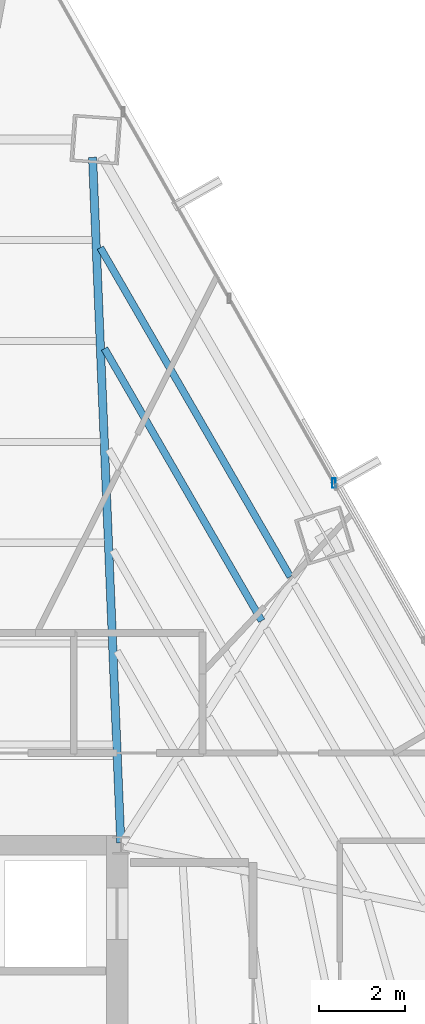
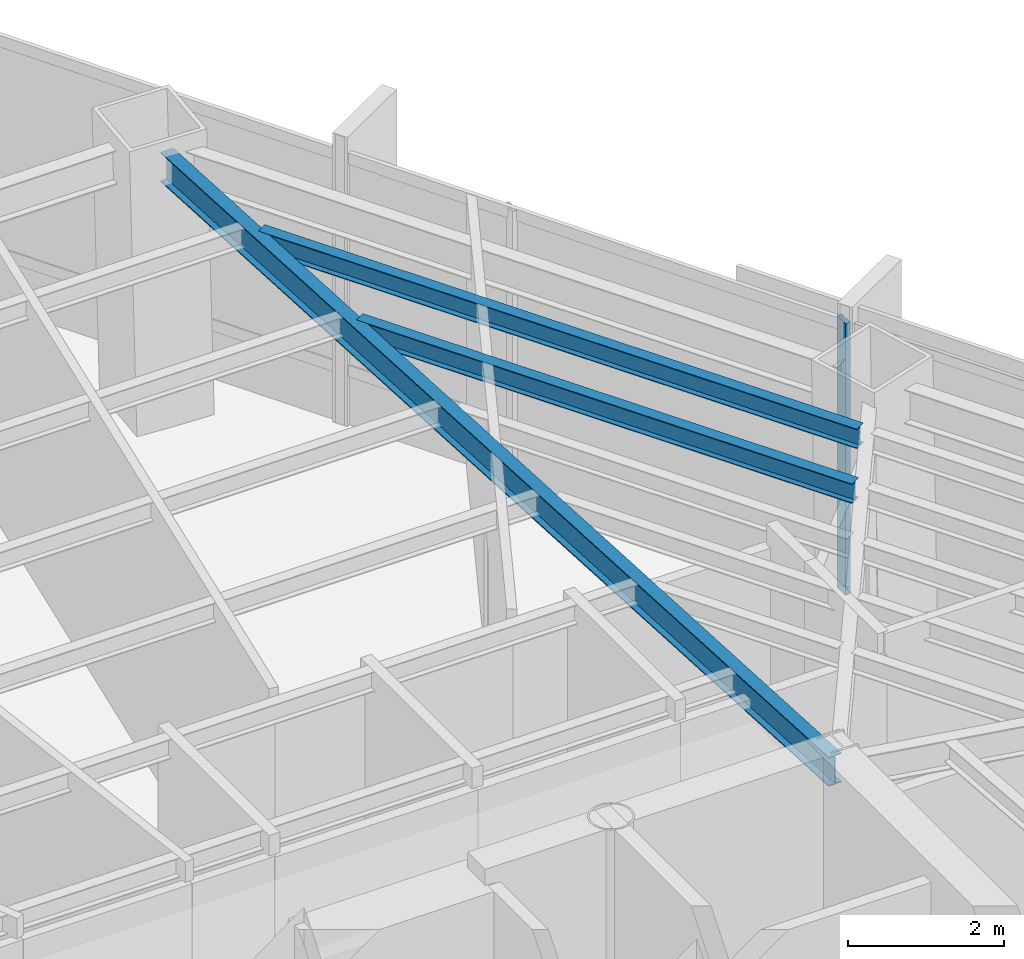
# One storey, part 27 of 37: 3 beams, 1 member, 1 element without a shape of its own.
"""IFC4 building model written with IfcOpenShell, lengths in metres."""

from ifc_helpers import new_model, si_unit, direction, frame, origin, origin_2d, place, context, subcontext, project, spatial, hollow_rectangle, i_section, extrude, source, transform, mapped, material, material_profile, profile_set, type_object, type_shapes, element, aggregate, save


model = new_model("IFC4")

# Units and contexts
model_context = context("Model", 3, precision=1e-05, world=origin(), true_north=direction((0.0, 1.0)))
body_context = subcontext(model_context, "Body", "Model", "MODEL_VIEW")
ifc_project = project(units=[si_unit("LENGTHUNIT", "METRE"), si_unit("AREAUNIT", "SQUARE_METRE"), si_unit("VOLUMEUNIT", "CUBIC_METRE"), si_unit("PLANEANGLEUNIT", "RADIAN"), si_unit("MASSUNIT", "GRAM", prefix="KILO")], contexts=[model_context])

# Site, building, storey
site_placement = place(None, origin())
site = spatial("IfcSite", under=ifc_project, at=site_placement, CompositionType="ELEMENT")
building_placement = place(site_placement, origin())
building = spatial("IfcBuilding", under=site, at=building_placement, Name="Caelisora Broadcast Tower", CompositionType="ELEMENT")
storey_placement = place(building_placement, frame((0.0, 0.0, 127.300048828125)))
storey = spatial("IfcBuildingStorey", under=building, at=storey_placement, Name="L33", CompositionType="ELEMENT", Elevation=127.300048828125)

# Beams
ifc_material_1 = material(Name="Steel Grade 350 (AS/NZS 3679.1)", Category="steel")
ifc_material_profile_1 = material_profile(ifc_material_1, i_section(OverallWidth=0.19091796875, OverallDepth=0.46044921875, WebThickness=0.010009765625, FlangeThickness=0.01611328125, at=origin_2d()), Name="Steel Grade 350 (AS/NZS 3679.1)")
ifc_profile_set_1 = profile_set([ifc_material_profile_1], Name="Steel Grade 350 (AS/NZS 3679.1)")
beam_type_1 = type_object("IfcBeamType", Name="PG06", PredefinedType="BEAM", material=ifc_profile_set_1)
shared_shape_1 = source(origin(), body_context, "Body", "SweptSolid", [
    extrude(i_section(OverallWidth=0.19091796875, OverallDepth=0.46044921875, WebThickness=0.010009765625, FlangeThickness=0.01611328125, at=origin_2d()), origin(), (0.0, 0.0, 1.0), 15.989501953125),
])
type_shapes(beam_type_1, [shared_shape_1])
beam_1_placement = place(storey_placement, frame((45.49755859375, 30.059814453125, 4.019775390625), z_axis=(-0.041149139288, 0.999153015477, 0.0), x_axis=(-0.999153015477, -0.041149139288, 0.0)))
element("IfcBeam", 1, at=beam_1_placement, inside=storey, type_object=beam_type_1, Name="L33 beam PG06", PredefinedType="BEAM", context=body_context, shape_type="MappedRepresentation", body=[
    mapped(shared_shape_1, transform((0.0, 0.0, 0.0), scale=1.0)),
])
ifc_material_profile_2 = material_profile(ifc_material_1, i_section(OverallWidth=0.166015625, OverallDepth=0.30712890625, WebThickness=0.006591796875, FlangeThickness=0.01171875, at=origin_2d()), Name="Steel Grade 350 (AS/NZS 3679.1)")
ifc_profile_set_2 = profile_set([ifc_material_profile_2], Name="Steel Grade 350 (AS/NZS 3679.1)")
beam_type_2 = type_object("IfcBeamType", Name="SB03", PredefinedType="JOIST", material=ifc_profile_set_2)
shared_shape_2 = source(origin(), body_context, "Body", "SweptSolid", [
    extrude(i_section(OverallWidth=0.166015625, OverallDepth=0.30712890625, WebThickness=0.006591796875, FlangeThickness=0.01171875, at=origin_2d()), origin(), (0.0, 0.0, 1.0), 7.328857421875),
])
beam_2_placement = place(storey_placement, frame((48.781982421875, 35.231201171875, 4.096435546875), z_axis=(-0.500015616293, 0.866016387526, 0.0), x_axis=(-0.866016387526, -0.500015616293, 0.0)))
element("IfcBeam", 2, at=beam_2_placement, inside=storey, type_object=beam_type_2, Name="L33 beam SB03", PredefinedType="JOIST", context=body_context, shape_type="MappedRepresentation", body=[
    mapped(shared_shape_2, transform((0.0, 0.0, 0.0), scale=1.0)),
])
shared_shape_3 = source(origin(), body_context, "Body", "SweptSolid", [
    extrude(i_section(OverallWidth=0.166015625, OverallDepth=0.30712890625, WebThickness=0.006591796875, FlangeThickness=0.01171875, at=origin_2d()), origin(), (0.0, 0.0, 1.0), 8.856201171875),
])
type_shapes(beam_type_2, [shared_shape_2, shared_shape_3])
beam_3_placement = place(storey_placement, frame((49.44873046875, 36.25927734375, 4.096435546875), z_axis=(-0.500011191356, 0.866018942356, 0.0), x_axis=(-0.866018942356, -0.500011191356, 0.0)))
element("IfcBeam", 3, at=beam_3_placement, inside=storey, type_object=beam_type_2, Name="L33 beam SB03", PredefinedType="JOIST", context=body_context, shape_type="MappedRepresentation", body=[
    mapped(shared_shape_3, transform((0.0, 0.0, 0.0), scale=1.0)),
])

# Curtain wall, member
ifc_material_2 = material(Name="Unitised Aluminium and Low-E Glass Curtain Wall", Category="glass")
curtain_wall_type = type_object("IfcCurtainWallType", Name="CW-SKY", PredefinedType="NOTDEFINED", material=ifc_material_2)
curtain_wall_placement = place(storey_placement, origin())
curtain_wall = element("IfcCurtainWall", 4, at=curtain_wall_placement, inside=storey, type_object=curtain_wall_type, Name="L33 curtain wall CW-SKY", PredefinedType="NOTDEFINED")
ifc_material_3 = material(Name="Aluminium 6063-T6 Anodised Terracotta Bronze", Category="aluminium")
ifc_material_profile_3 = material_profile(ifc_material_3, hollow_rectangle(XDim=0.074951171875, YDim=0.219970703125, WallThickness=0.00390625, at=origin_2d()), Name="Aluminium 6063-T6 Anodised Terracotta Bronze")
ifc_profile_set_3 = profile_set([ifc_material_profile_3], Name="Aluminium 6063-T6 Anodised Terracotta Bronze")
member_type = type_object("IfcMemberType", Name="CWM-01", PredefinedType="MULLION", material=ifc_profile_set_3)
shared_shape_4 = source(origin(), body_context, "Body", "SweptSolid", [
    extrude(hollow_rectangle(XDim=0.074951171875, YDim=0.219970703125, WallThickness=0.00390625, at=origin_2d()), origin(), (0.0, 0.0, 1.0), 4.25),
])
type_shapes(member_type, [shared_shape_4])
member_placement = place(storey_placement, frame((50.465576171875, 38.44189453125, 0.0), z_axis=(0.0, 0.0, 1.0), x_axis=(1.0, 0.0, 0.0)))
member = element("IfcMember", 5, at=member_placement, type_object=member_type, Name="L33-CW-B01 mullion #3", PredefinedType="MULLION", context=body_context, shape_type="MappedRepresentation", body=[
    mapped(shared_shape_4, transform((0.0, 0.0, 0.0), scale=1.0)),
])
aggregate(curtain_wall, [member])

save(model, "model.ifc")
